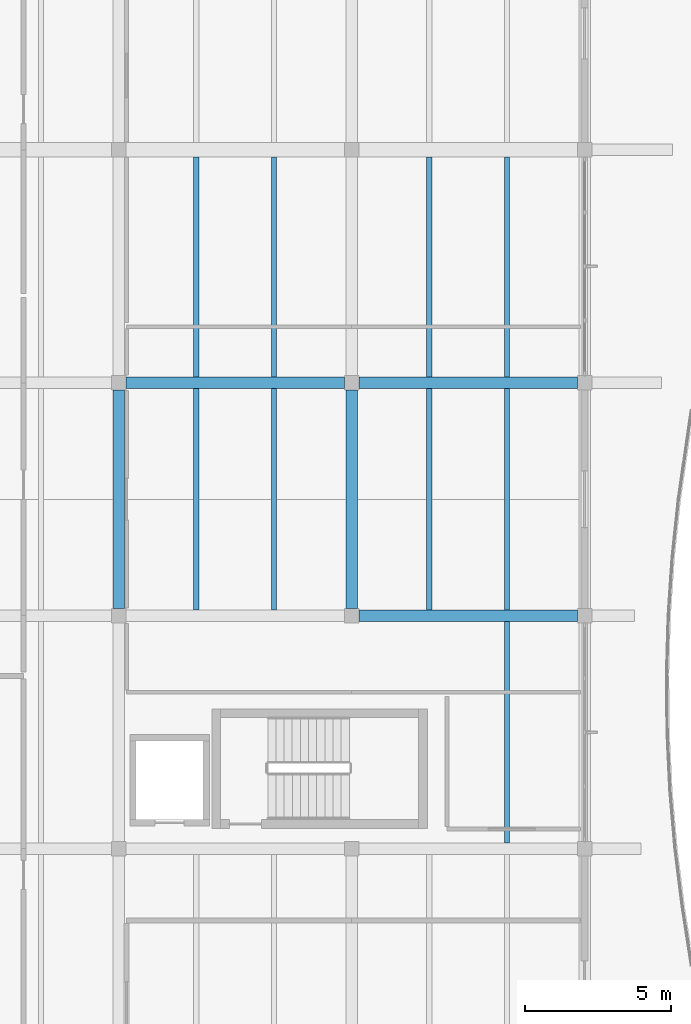
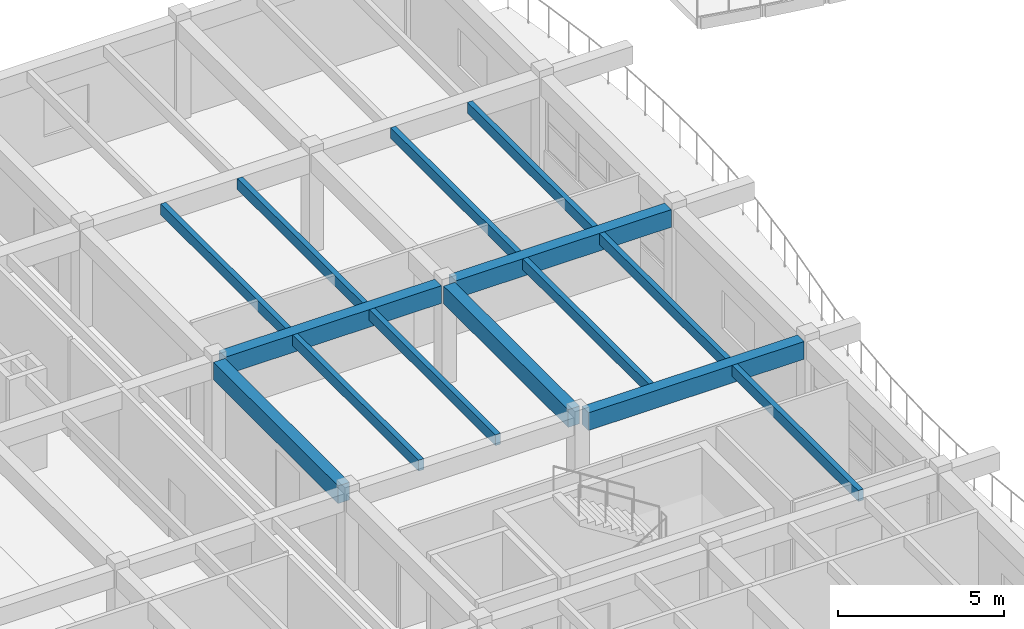
# One storey, part 15 of 89: 14 beams.
"""IFC4 building model written with IfcOpenShell, lengths in metres."""

from ifc_helpers import new_model, si_unit, direction, frame, origin, origin_2d, place, context, subcontext, project, spatial, rectangle, extrude, material, material_profile, profile_set, type_object, element, save


model = new_model("IFC4")

# Units and contexts
model_context = context("Model", 3, precision=1e-05, world=origin(), true_north=direction((0.0, 1.0)))
body_context = subcontext(model_context, "Body", "Model", "MODEL_VIEW")
ifc_project = project(units=[si_unit("LENGTHUNIT", "METRE"), si_unit("AREAUNIT", "SQUARE_METRE"), si_unit("VOLUMEUNIT", "CUBIC_METRE"), si_unit("PLANEANGLEUNIT", "RADIAN"), si_unit("MASSUNIT", "GRAM", prefix="KILO")], contexts=[model_context])

# Site, building, storey
site_placement = place(None, origin())
site = spatial("IfcSite", under=ifc_project, at=site_placement, CompositionType="ELEMENT")
building_placement = place(site_placement, origin())
building = spatial("IfcBuilding", under=site, at=building_placement, Name="Tonlespit Floodbar School", CompositionType="ELEMENT")
storey_placement = place(building_placement, frame((0.0, 0.0, 4.5)))
storey = spatial("IfcBuildingStorey", under=building, at=storey_placement, Name="L01", CompositionType="ELEMENT", Elevation=4.5)

# Beams
ifc_material_1 = material(Name="Concrete C40/50", Category="concrete")
ifc_material_profile_1 = material_profile(ifc_material_1, rectangle(XDim=0.39990234375, YDim=0.64990234375, at=origin_2d()), Name="RC 400x650")
ifc_profile_set_1 = profile_set([ifc_material_profile_1], Name="Concrete C40/50")
beam_type_1 = type_object("IfcBeamType", Name="Beam_RC_400x650", PredefinedType="BEAM", material=ifc_profile_set_1)
for number, where, z_axis, x_axis, name in (
    (1, (28.25, 72.0, 3.324951171875), (1.0, 0.0, 0.0), (0.0, 1.0, 0.0), "L01 girder 0588"),
    (2, (20.25, 80.0, 3.324951171875), (1.0, 0.0, 0.0), (0.0, 1.0, 0.0), "L01 girder 0596"),
    (3, (28.25, 80.0, 3.324951171875), (1.0, 0.0, 0.0), (0.0, 1.0, 0.0), "L01 girder 0597"),
    (4, (20.0, 72.25, 3.324951171875), (0.0, 1.0, 0.0), (-1.0, 0.0, 0.0), "L01 girder 0697"),
    (5, (28.0, 72.25, 3.324951171875), (0.0, 1.0, 0.0), (-1.0, 0.0, 0.0), "L01 girder 0709"),
):
    element("IfcBeam", number, at=place(storey_placement, frame(where, z_axis=z_axis, x_axis=x_axis)), inside=storey, type_object=beam_type_1, Name=name, PredefinedType="BEAM", context=body_context, shape_type="SweptSolid", body=[
        extrude(rectangle(XDim=0.39990234375, YDim=0.64990234375, at=origin_2d()), origin(), (0.0, 0.0, 1.0), 7.5),
    ])
ifc_material_2 = material(Name="Glulam GL28h", Category="wood")
ifc_material_profile_2 = material_profile(ifc_material_2, rectangle(XDim=0.179931640625, YDim=0.39990234375, at=origin_2d()), Name="GL 180x400")
ifc_profile_set_2 = profile_set([ifc_material_profile_2], Name="Glulam GL28h")
beam_type_2 = type_object("IfcBeamType", Name="Joist_GL_180x400", PredefinedType="JOIST", material=ifc_profile_set_2)
for number, where, z_axis, x_axis, name in (
    (6, (33.333251953125, 64.199951171875, 3.449951171875), (0.0, 1.0, 0.0), (-1.0, 0.0, 0.0), "L01 secondary joist 0844"),
    (7, (22.666748046875, 72.199951171875, 3.449951171875), (0.0, 1.0, 0.0), (-1.0, 0.0, 0.0), "L01 secondary joist 0847"),
    (8, (25.333251953125, 72.199951171875, 3.449951171875), (0.0, 1.0, 0.0), (-1.0, 0.0, 0.0), "L01 secondary joist 0848"),
    (9, (30.666748046875, 72.199951171875, 3.449951171875), (0.0, 1.0, 0.0), (-1.0, 0.0, 0.0), "L01 secondary joist 0849"),
    (10, (33.333251953125, 72.199951171875, 3.449951171875), (0.0, 1.0, 0.0), (-1.0, 0.0, 0.0), "L01 secondary joist 0850"),
):
    element("IfcBeam", number, at=place(storey_placement, frame(where, z_axis=z_axis, x_axis=x_axis)), inside=storey, type_object=beam_type_2, Name=name, PredefinedType="JOIST", context=body_context, shape_type="SweptSolid", body=[
        extrude(rectangle(XDim=0.179931640625, YDim=0.39990234375, at=origin_2d()), origin(), (0.0, 0.0, 1.0), 7.60009765625),
    ])
for number, where, z_axis, x_axis, name in (
    (11, (22.666748046875, 80.199951171875, 3.449951171875), (0.0, 1.0, 0.0), (-1.0, 0.0, 0.0), "L01 secondary joist 0853"),
    (12, (25.333251953125, 80.199951171875, 3.449951171875), (0.0, 1.0, 0.0), (-1.0, 0.0, 0.0), "L01 secondary joist 0854"),
    (13, (30.666748046875, 80.199951171875, 3.449951171875), (0.0, 1.0, 0.0), (-1.0, 0.0, 0.0), "L01 secondary joist 0855"),
    (14, (33.333251953125, 80.199951171875, 3.449951171875), (0.0, 1.0, 0.0), (-1.0, 0.0, 0.0), "L01 secondary joist 0856"),
):
    element("IfcBeam", number, at=place(storey_placement, frame(where, z_axis=z_axis, x_axis=x_axis)), inside=storey, type_object=beam_type_2, Name=name, PredefinedType="JOIST", context=body_context, shape_type="SweptSolid", body=[
        extrude(rectangle(XDim=0.179931640625, YDim=0.39990234375, at=origin_2d()), origin(), (0.0, 0.0, 1.0), 7.550048828125),
    ])

save(model, "model.ifc")
